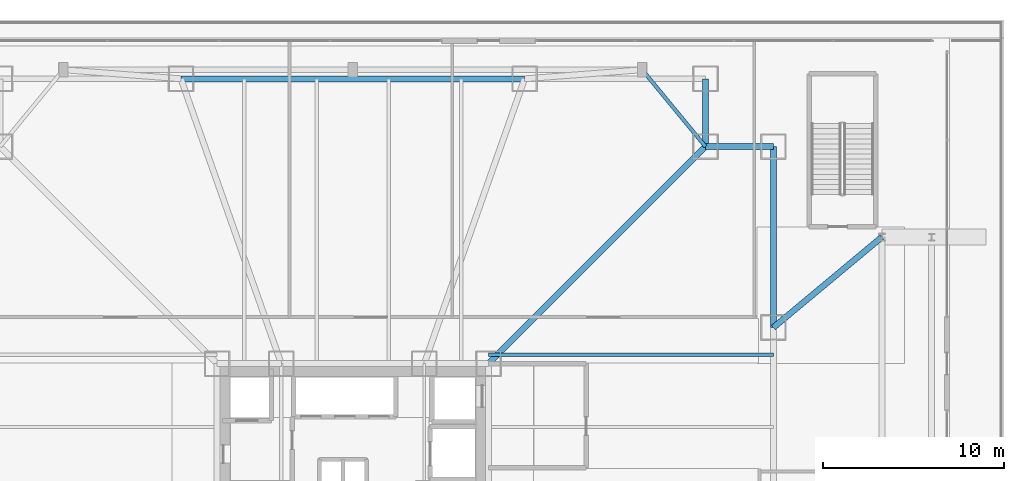
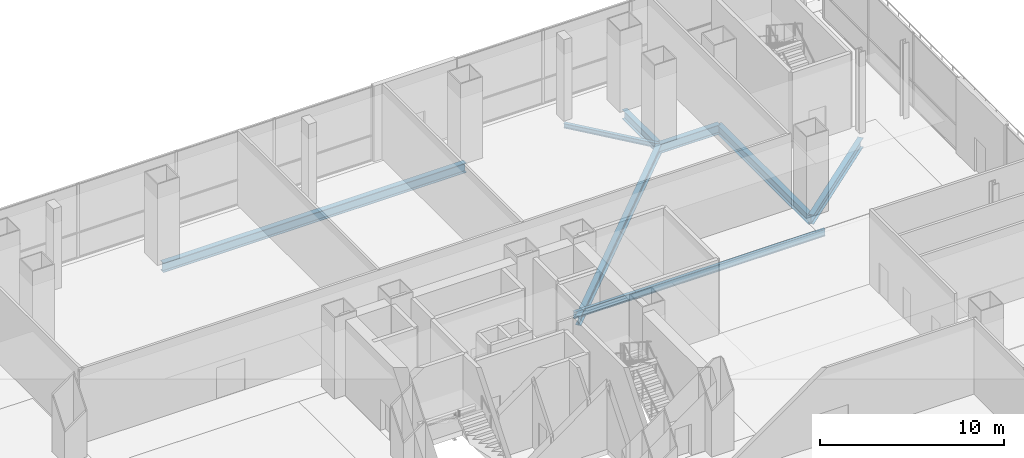
# One storey, part 15 of 36: 8 beams.
"""IFC4 building model written with IfcOpenShell, lengths in metres."""

from ifc_helpers import new_model, si_unit, direction, frame, origin, origin_2d, place, context, subcontext, project, spatial, i_section, extrude, material, material_profile, profile_set, type_object, element, save


model = new_model("IFC4")

# Units and contexts
model_context = context("Model", 3, precision=1e-05, world=origin(), true_north=direction((0.0, 1.0)))
body_context = subcontext(model_context, "Body", "Model", "MODEL_VIEW")
ifc_project = project(units=[si_unit("LENGTHUNIT", "METRE"), si_unit("AREAUNIT", "SQUARE_METRE"), si_unit("VOLUMEUNIT", "CUBIC_METRE"), si_unit("PLANEANGLEUNIT", "RADIAN"), si_unit("MASSUNIT", "GRAM", prefix="KILO")], contexts=[model_context])

# Site, building, storey
site_placement = place(None, origin())
site = spatial("IfcSite", under=ifc_project, at=site_placement, CompositionType="ELEMENT")
building_placement = place(site_placement, origin())
building = spatial("IfcBuilding", under=site, at=building_placement, Name="Trevonay Congress Spire", CompositionType="ELEMENT")
storey_placement = place(building_placement, frame((0.0, 0.0, 16.199951171875)))
storey = spatial("IfcBuildingStorey", under=building, at=storey_placement, Name="L03", CompositionType="ELEMENT", Elevation=16.199951171875)

# Beams
ifc_material = material(Name="Steel ASTM A572 Grade 50", Category="steel")
ifc_material_profile_1 = material_profile(ifc_material, i_section(OverallWidth=0.324951171875, OverallDepth=0.615966796875, WebThickness=0.013916015625, FlangeThickness=0.021484375, FilletRadius=0.01806640625, at=origin_2d()), Name="W610x174")
ifc_profile_set_1 = profile_set([ifc_material_profile_1], Name="Steel ASTM A572 Grade 50")
beam_type_1 = type_object("IfcBeamType", Name="BM-GIRD-W610X174", PredefinedType="BEAM", material=ifc_profile_set_1)
beam_1_placement = place(storey_placement, frame((19.5, 23.25, -0.7080078125), z_axis=(0.0, -1.0, 0.0), x_axis=(1.0, 0.0, 0.0)))
element("IfcBeam", 1, at=beam_1_placement, inside=storey, type_object=beam_type_1, Name="L03 structural beam BM-L03-CNE", PredefinedType="BEAM", context=body_context, shape_type="SweptSolid", body=[
    extrude(i_section(OverallWidth=0.324951171875, OverallDepth=0.615966796875, WebThickness=0.013916015625, FlangeThickness=0.021484375, FilletRadius=0.01806640625, at=origin_2d()), origin(), (0.0, 0.0, 1.0), 3.75),
])
beam_2_placement = place(storey_placement, frame((23.25, 9.5, -0.7080078125), z_axis=(0.0, 1.0, 0.0), x_axis=(-1.0, 0.0, 0.0)))
element("IfcBeam", 2, at=beam_2_placement, inside=storey, type_object=beam_type_1, Name="L03 structural beam BM-L03-ME3", PredefinedType="BEAM", context=body_context, shape_type="SweptSolid", body=[
    extrude(i_section(OverallWidth=0.324951171875, OverallDepth=0.615966796875, WebThickness=0.013916015625, FlangeThickness=0.021484375, FilletRadius=0.01806640625, at=origin_2d()), origin(), (0.0, 0.0, 1.0), 10.0),
])
beam_3_placement = place(storey_placement, frame((23.25, 19.5, -0.7080078125), z_axis=(-1.0, 0.0, 0.0), x_axis=(0.0, -1.0, 0.0)))
element("IfcBeam", 3, at=beam_3_placement, inside=storey, type_object=beam_type_1, Name="L03 structural beam BM-L03-CEN", PredefinedType="BEAM", context=body_context, shape_type="SweptSolid", body=[
    extrude(i_section(OverallWidth=0.324951171875, OverallDepth=0.615966796875, WebThickness=0.013916015625, FlangeThickness=0.021484375, FilletRadius=0.01806640625, at=origin_2d()), origin(), (0.0, 0.0, 1.0), 3.75),
])
beam_4_placement = place(storey_placement, frame((7.5, 7.5, -0.7080078125), z_axis=(0.707106781187, 0.707106781187, 0.0), x_axis=(-0.707106781187, 0.707106781187, 0.0)))
element("IfcBeam", 4, at=beam_4_placement, inside=storey, type_object=beam_type_1, Name="L03 structural beam BM-L03-RAD-NE", PredefinedType="BEAM", context=body_context, shape_type="SweptSolid", body=[
    extrude(i_section(OverallWidth=0.324951171875, OverallDepth=0.615966796875, WebThickness=0.013916015625, FlangeThickness=0.021484375, FilletRadius=0.01806640625, at=origin_2d()), origin(), (0.0, 0.0, 1.0), 16.970458984375),
])
beam_5_placement = place(storey_placement, frame((23.25, 9.5, -0.7080078125), z_axis=(0.768221279597, 0.640184399664, 0.0), x_axis=(-0.640184399664, 0.768221279597, 0.0)))
element("IfcBeam", 5, at=beam_5_placement, inside=storey, type_object=beam_type_1, Name="L03 structural beam BM-L03-POD-ET2", PredefinedType="BEAM", context=body_context, shape_type="SweptSolid", body=[
    extrude(i_section(OverallWidth=0.324951171875, OverallDepth=0.615966796875, WebThickness=0.013916015625, FlangeThickness=0.021484375, FilletRadius=0.01806640625, at=origin_2d()), origin(), (0.0, 0.0, 1.0), 7.810302734375),
])
ifc_material_profile_2 = material_profile(ifc_material, i_section(OverallWidth=0.3291015625, OverallDepth=0.635009765625, WebThickness=0.017822265625, FlangeThickness=0.031005859375, FilletRadius=0.01806640625, at=origin_2d()), Name="W610x241")
ifc_profile_set_2 = profile_set([ifc_material_profile_2], Name="Steel ASTM A572 Grade 50")
beam_type_2 = type_object("IfcBeamType", Name="BM-GIRD-W610X241", PredefinedType="BEAM", material=ifc_profile_set_2)
beam_6_placement = place(storey_placement, frame((-9.5, 23.25, -0.717529296875), z_axis=(1.0, 0.0, 0.0), x_axis=(0.0, 1.0, 0.0)))
element("IfcBeam", 6, at=beam_6_placement, inside=storey, type_object=beam_type_2, Name="L03 structural beam BM-L03-MN2", PredefinedType="BEAM", context=body_context, shape_type="SweptSolid", body=[
    extrude(i_section(OverallWidth=0.3291015625, OverallDepth=0.635009765625, WebThickness=0.017822265625, FlangeThickness=0.031005859375, FilletRadius=0.01806640625, at=origin_2d()), origin(), (0.0, 0.0, 1.0), 19.0),
])
ifc_material_profile_3 = material_profile(ifc_material, i_section(OverallWidth=0.18994140625, OverallDepth=0.45703125, WebThickness=0.009033203125, FlangeThickness=0.014404296875, FilletRadius=0.013916015625, at=origin_2d()), Name="W460x74")
ifc_profile_set_3 = profile_set([ifc_material_profile_3], Name="Steel ASTM A572 Grade 50")
beam_type_3 = type_object("IfcBeamType", Name="JS-COMP-W460X74", PredefinedType="JOIST", material=ifc_profile_set_3)
beam_7_placement = place(storey_placement, frame((7.5, 8.0, -0.62841796875), z_axis=(1.0, 0.0, 0.0), x_axis=(0.0, 1.0, 0.0)))
element("IfcBeam", 7, at=beam_7_placement, inside=storey, type_object=beam_type_3, Name="L03 structural beam JS-L03-EH4", PredefinedType="JOIST", context=body_context, shape_type="SweptSolid", body=[
    extrude(i_section(OverallWidth=0.18994140625, OverallDepth=0.45703125, WebThickness=0.009033203125, FlangeThickness=0.014404296875, FilletRadius=0.013916015625, at=origin_2d()), origin(), (0.0, 0.0, 1.0), 15.75),
])
ifc_material_profile_4 = material_profile(ifc_material, i_section(OverallWidth=0.2041015625, OverallDepth=0.305908203125, WebThickness=0.008544921875, FlangeThickness=0.0146484375, FilletRadius=0.010986328125, at=origin_2d()), Name="W310x67")
ifc_profile_set_4 = profile_set([ifc_material_profile_4], Name="Steel ASTM A572 Grade 50")
beam_type_4 = type_object("IfcBeamType", Name="SPB-W310X67", PredefinedType="SPANDREL", material=ifc_profile_set_4)
beam_8_placement = place(storey_placement, frame((16.0, 23.75, -0.552978515625), z_axis=(0.635707252861, -0.771930235617, 0.0), x_axis=(0.771930235617, 0.635707252861, 0.0)))
element("IfcBeam", 8, at=beam_8_placement, inside=storey, type_object=beam_type_4, Name="L03 structural beam SPB-L03-NE", PredefinedType="SPANDREL", context=body_context, shape_type="SweptSolid", body=[
    extrude(i_section(OverallWidth=0.2041015625, OverallDepth=0.305908203125, WebThickness=0.008544921875, FlangeThickness=0.0146484375, FilletRadius=0.010986328125, at=origin_2d()), origin(), (0.0, 0.0, 1.0), 5.505615234375),
])

save(model, "model.ifc")
